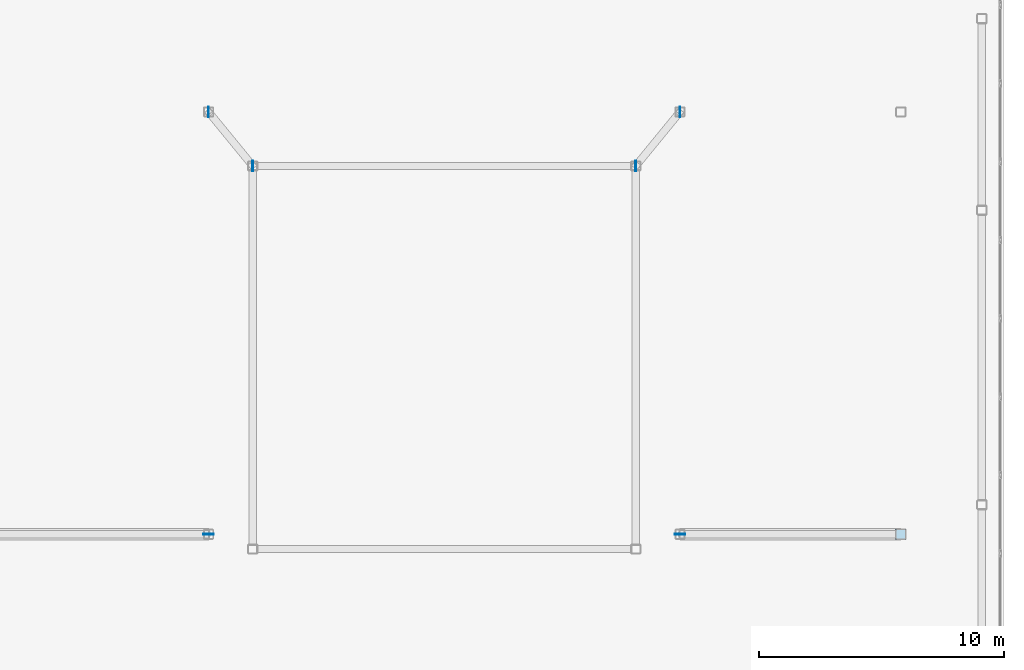
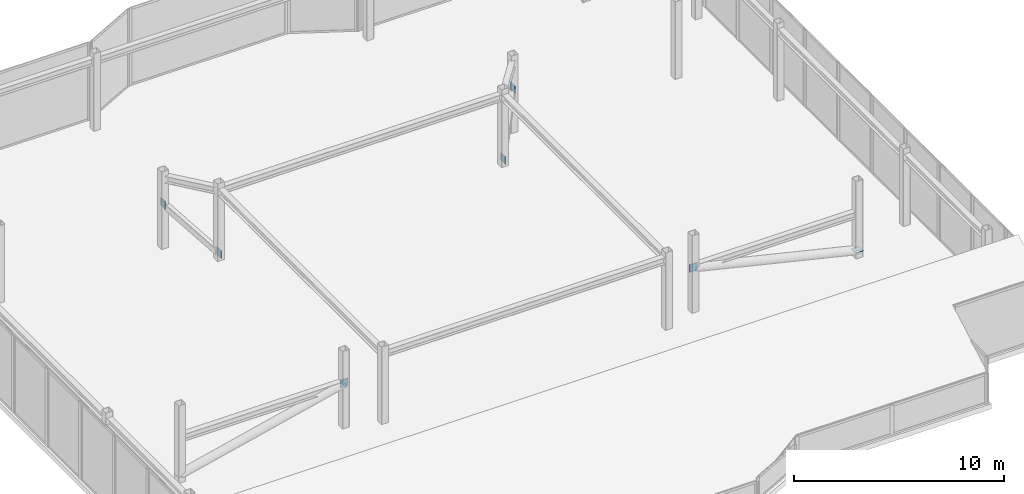
# One storey, part 14 of 16: 7 plates.
"""IFC4 building model written with IfcOpenShell, lengths in metres."""

from ifc_helpers import new_model, si_unit, direction, frame, origin, origin_2d, place, context, subcontext, project, spatial, rectangle, extrude, material, layer, layer_set, type_object, element, save


model = new_model("IFC4")

# Units and contexts
model_context = context("Model", 3, precision=1e-05, world=origin(), true_north=direction((0.0, 1.0)))
body_context = subcontext(model_context, "Body", "Model", "MODEL_VIEW")
ifc_project = project(units=[si_unit("LENGTHUNIT", "METRE"), si_unit("AREAUNIT", "SQUARE_METRE"), si_unit("VOLUMEUNIT", "CUBIC_METRE"), si_unit("PLANEANGLEUNIT", "RADIAN"), si_unit("MASSUNIT", "GRAM", prefix="KILO")], contexts=[model_context])

# Site, building, storey
site_placement = place(None, origin())
site = spatial("IfcSite", under=ifc_project, at=site_placement, CompositionType="ELEMENT")
building_placement = place(site_placement, origin())
building = spatial("IfcBuilding", under=site, at=building_placement, Name="Tarnavaz Court Tower", CompositionType="ELEMENT")
storey_placement = place(building_placement, frame((0.0, 0.0, 290.550048828125)))
storey = spatial("IfcBuildingStorey", under=building, at=storey_placement, Name="C03", CompositionType="ELEMENT", Elevation=290.550048828125)

# Plates
ifc_material = material(Name="Steel S355", Category="steel")
ifc_layer_1 = layer(ifc_material, 0.02490234375)
ifc_layer_set_1 = layer_set([ifc_layer_1], Name="Steel S355")
plate_type_1 = type_object("IfcPlateType", Name="PL-CAP-25", PredefinedType="USERDEFINED", material=ifc_layer_set_1)
plate_placement = place(storey_placement, frame((18.60009765625, -7.199951171875, 0.33740234375), z_axis=(0.0, 0.0, 1.0), x_axis=(1.0, 0.0, 0.0)))
element("IfcPlate", 1, at=plate_placement, inside=storey, type_object=plate_type_1, Name="C03 Crown Brace Node Cap Plate E", ObjectType="CAP PLATE", PredefinedType="USERDEFINED", context=body_context, shape_type="SweptSolid", body=[
    extrude(rectangle(XDim=0.419921875, YDim=0.419921875, at=origin_2d()), origin(), (0.0, 0.0, 1.0), 0.02490234375),
])
ifc_layer_2 = layer(ifc_material, 0.030029296875)
ifc_layer_set_2 = layer_set([ifc_layer_2], Name="Steel S355")
plate_type_2 = type_object("IfcPlateType", Name="PL-GUSSET-30", PredefinedType="USERDEFINED", material=ifc_layer_set_2)
for number, where, z_axis, x_axis, name in (
    (2, (-9.60009765625, -7.199951171875, 2.280029296875), (0.0, 0.0, 1.0), (1.0, 0.0, 0.0), "C03 Structural Brace & Strut End Gusset Plate 155"),
    (3, (9.60009765625, -7.199951171875, 2.280029296875), (0.0, 0.0, 1.0), (1.0, 0.0, 0.0), "C03 Structural Brace & Strut End Gusset Plate 156"),
    (4, (-7.800048828125, 7.800048828125, 0.1298828125), (0.0, 0.0, 1.0), (0.0, 1.0, 0.0), "C03 Structural Brace & Strut End Gusset Plate 157"),
    (5, (-9.60009765625, 10.0, 2.280029296875), (0.0, 0.0, 1.0), (0.0, 1.0, 0.0), "C03 Structural Brace & Strut End Gusset Plate 158"),
    (6, (7.800048828125, 7.800048828125, 0.1298828125), (0.0, 0.0, 1.0), (0.0, 1.0, 0.0), "C03 Structural Brace & Strut End Gusset Plate 159"),
    (7, (9.60009765625, 10.0, 2.280029296875), (0.0, 0.0, 1.0), (0.0, 1.0, 0.0), "C03 Structural Brace & Strut End Gusset Plate 160"),
):
    element("IfcPlate", number, at=place(storey_placement, frame(where, z_axis=z_axis, x_axis=x_axis)), inside=storey, type_object=plate_type_2, Name=name, ObjectType="GUSSET PLATE", PredefinedType="USERDEFINED", context=body_context, shape_type="SweptSolid", body=[
        extrude(rectangle(XDim=0.43994140625, YDim=0.030029296875, at=origin_2d()), origin(), (0.0, 0.0, 1.0), 0.43994140625),
    ])

save(model, "model.ifc")
